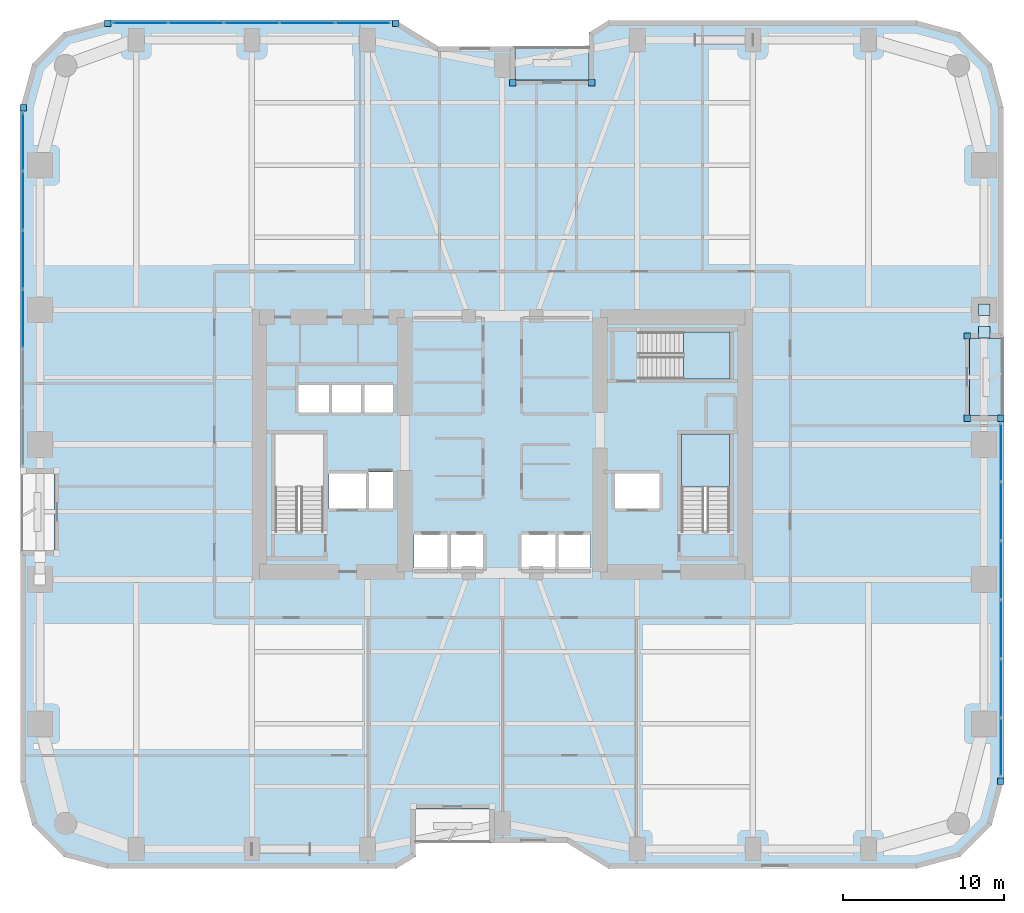
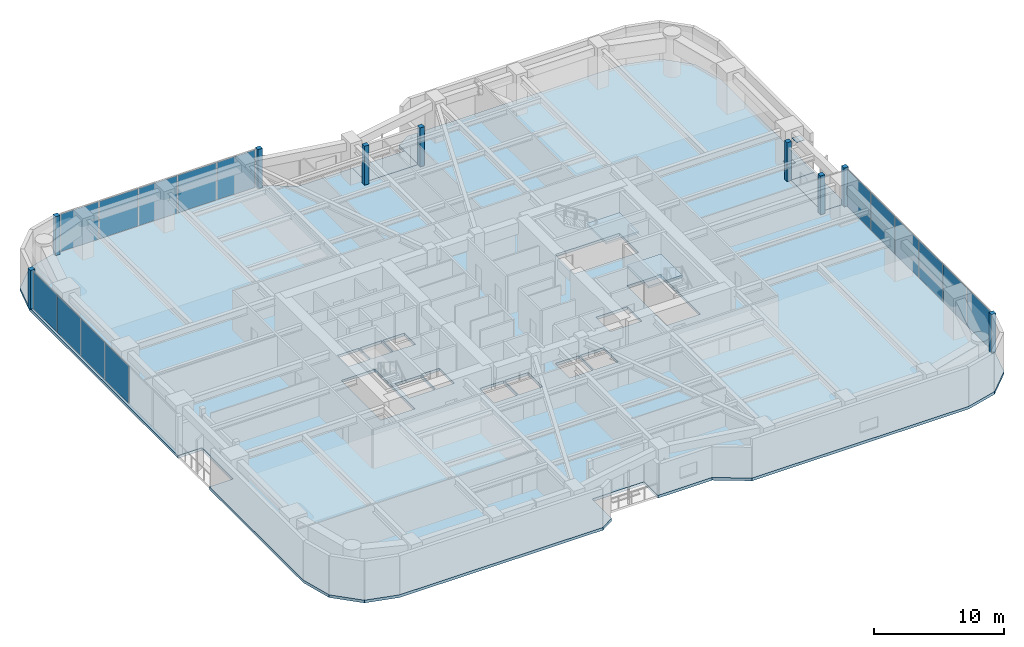
# One storey, part 20 of 28: 26 plates, 5 slabs, 5 elements without a shape of their own.
"""IFC4 building model written with IfcOpenShell, lengths in metres."""

from ifc_helpers import new_model, si_unit, direction, frame, origin, origin_2d, place, context, subcontext, project, spatial, polyline, rectangle, outline, extrude, material, layer, layer_set, type_object, element, aggregate, save


model = new_model("IFC4")

# Units and contexts
model_context = context("Model", 3, precision=1e-05, world=origin(), true_north=direction((0.0, 1.0)))
body_context = subcontext(model_context, "Body", "Model", "MODEL_VIEW")
ifc_project = project(units=[si_unit("LENGTHUNIT", "METRE"), si_unit("AREAUNIT", "SQUARE_METRE"), si_unit("VOLUMEUNIT", "CUBIC_METRE"), si_unit("PLANEANGLEUNIT", "RADIAN"), si_unit("MASSUNIT", "GRAM", prefix="KILO")], contexts=[model_context])

# Site, building, storey
site_placement = place(None, origin())
site = spatial("IfcSite", under=ifc_project, at=site_placement, CompositionType="ELEMENT")
building_placement = place(site_placement, origin())
building = spatial("IfcBuilding", under=site, at=building_placement, Name="Kiyonajd Concourse Tower", CompositionType="ELEMENT")
storey_placement = place(building_placement, frame((0.0, 0.0, 37.199951171875)))
storey = spatial("IfcBuildingStorey", under=building, at=storey_placement, Name="L10", CompositionType="ELEMENT", Elevation=37.199951171875)

# Plates
ifc_material_1 = material(Name="Steel ASTM A572 Grade 50", Category="steel")
ifc_layer_1 = layer(ifc_material_1, 0.028076171875)
ifc_layer_set_1 = layer_set([ifc_layer_1], Name="Steel ASTM A572 Grade 50")
plate_type_1 = type_object("IfcPlateType", Name="PL-CAP-450", PredefinedType="USERDEFINED", material=ifc_layer_set_1)
for number, where, z_axis, x_axis, name in (
    (1, (78.0, 44.40478515625, 0.27587890625), (0.0, 0.0, 1.0), (1.0, 0.0, 0.0), "L10 Hollow Brace End Cap Plate PBE"),
    (2, (78.0, 42.995361328125, 3.2861328125), (0.0, 0.0, 1.0), (1.0, 0.0, 0.0), "L10 Hollow Brace Top Cap Plate PBE"),
):
    element("IfcPlate", number, at=place(storey_placement, frame(where, z_axis=z_axis, x_axis=x_axis)), inside=storey, type_object=plate_type_1, Name=name, ObjectType="CAP PLATE", PredefinedType="USERDEFINED", context=body_context, shape_type="SweptSolid", body=[
        extrude(rectangle(XDim=0.7099609375, YDim=0.7099609375, at=origin_2d()), origin(), (0.0, 0.0, 1.0), 0.028076171875),
    ])

# Curtain wall, plates
ifc_material_2 = material(Name="Thermally Broken Anodised Aluminium", Category="aluminium")
ifc_layer_2 = layer(ifc_material_2, 0.179931640625)
ifc_layer_set_2 = layer_set([ifc_layer_2], Name="Thermally Broken Anodised Aluminium")
curtain_wall_type = type_object("IfcCurtainWallType", Name="CW-SYS-02", PredefinedType="NOTDEFINED", material=ifc_layer_set_2)
curtain_wall_1_placement = place(storey_placement, origin())
curtain_wall_1 = element("IfcCurtainWall", 3, at=curtain_wall_1_placement, inside=storey, type_object=curtain_wall_type, Name="L10 Unitised Curtain Wall CW2", PredefinedType="NOTDEFINED")
ifc_material_3 = material(Name="Double Low-E Insulated Glass", Category="glass")
ifc_layer_3 = layer(ifc_material_3, 0.028076171875)
ifc_layer_set_3 = layer_set([ifc_layer_3], Name="Double Low-E Insulated Glass")
plate_type_2 = type_object("IfcPlateType", Name="PL-CW-VIS28", PredefinedType="CURTAIN_PANEL", material=ifc_layer_set_3)
plate_1_placement = place(storey_placement, frame((18.159912109375, 43.832763671875, 0.06494140625), z_axis=(0.0, 0.0, 1.0), x_axis=(0.0, 1.0, 0.0)))
plate_1 = element("IfcPlate", 4, at=plate_1_placement, type_object=plate_type_2, Name="CW2 panel 3.1", PredefinedType="CURTAIN_PANEL", context=body_context, shape_type="SweptSolid", body=[
    extrude(rectangle(XDim=3.608154296875, YDim=0.028076171875, at=origin_2d()), origin(), (0.0, 0.0, 1.0), 3.510009765625),
])
plate_2_placement = place(storey_placement, frame((18.159912109375, 47.506103515625, 0.06494140625), z_axis=(0.0, 0.0, 1.0), x_axis=(0.0, 1.0, 0.0)))
plate_2 = element("IfcPlate", 5, at=plate_2_placement, type_object=plate_type_2, Name="CW2 panel 4.1", PredefinedType="CURTAIN_PANEL", context=body_context, shape_type="SweptSolid", body=[
    extrude(rectangle(XDim=3.608154296875, YDim=0.028076171875, at=origin_2d()), origin(), (0.0, 0.0, 1.0), 3.510009765625),
])
plate_3_placement = place(storey_placement, frame((18.159912109375, 51.17919921875, 0.06494140625), z_axis=(0.0, 0.0, 1.0), x_axis=(0.0, 1.0, 0.0)))
plate_3 = element("IfcPlate", 6, at=plate_3_placement, type_object=plate_type_2, Name="CW2 panel 5.1", PredefinedType="CURTAIN_PANEL", context=body_context, shape_type="SweptSolid", body=[
    extrude(rectangle(XDim=3.608154296875, YDim=0.028076171875, at=origin_2d()), origin(), (0.0, 0.0, 1.0), 3.510009765625),
])
plate_4_placement = place(storey_placement, frame((18.159912109375, 54.836181640625, 0.06494140625), z_axis=(0.0, 0.0, 1.0), x_axis=(0.0, 1.0, 0.0)))
plate_4 = element("IfcPlate", 7, at=plate_4_placement, type_object=plate_type_2, Name="CW2 panel 6.1", PredefinedType="CURTAIN_PANEL", context=body_context, shape_type="SweptSolid", body=[
    extrude(rectangle(XDim=3.57568359375, YDim=0.028076171875, at=origin_2d()), origin(), (0.0, 0.0, 1.0), 3.510009765625),
])
aggregate(curtain_wall_1, [plate_1, plate_2, plate_3, plate_4])

curtain_wall_2_placement = place(storey_placement, origin())
curtain_wall_2 = element("IfcCurtainWall", 8, at=curtain_wall_2_placement, inside=storey, type_object=curtain_wall_type, Name="L10 Unitised Curtain Wall CW2", PredefinedType="NOTDEFINED")
plate_5_placement = place(storey_placement, frame((25.462646484375, 62.239990234375, 0.06494140625), z_axis=(0.0, 0.0, 1.0), x_axis=(1.0, 0.0, 0.0)))
plate_5 = element("IfcPlate", 9, at=plate_5_placement, type_object=plate_type_2, Name="CW2 panel 1.1", PredefinedType="CURTAIN_PANEL", context=body_context, shape_type="SweptSolid", body=[
    extrude(rectangle(XDim=3.373291015625, YDim=0.028076171875, at=origin_2d()), origin(), (0.0, 0.0, 1.0), 3.510009765625),
])
plate_6_placement = place(storey_placement, frame((28.917236328125, 62.239990234375, 0.06494140625), z_axis=(0.0, 0.0, 1.0), x_axis=(1.0, 0.0, 0.0)))
plate_6 = element("IfcPlate", 10, at=plate_6_placement, type_object=plate_type_2, Name="CW2 panel 2.1", PredefinedType="CURTAIN_PANEL", context=body_context, shape_type="SweptSolid", body=[
    extrude(rectangle(XDim=3.40576171875, YDim=0.028076171875, at=origin_2d()), origin(), (0.0, 0.0, 1.0), 3.510009765625),
])
plate_7_placement = place(storey_placement, frame((32.387939453125, 62.239990234375, 0.06494140625), z_axis=(0.0, 0.0, 1.0), x_axis=(1.0, 0.0, 0.0)))
plate_7 = element("IfcPlate", 11, at=plate_7_placement, type_object=plate_type_2, Name="CW2 panel 3.1", PredefinedType="CURTAIN_PANEL", context=body_context, shape_type="SweptSolid", body=[
    extrude(rectangle(XDim=3.40576171875, YDim=0.028076171875, at=origin_2d()), origin(), (0.0, 0.0, 1.0), 3.510009765625),
])
plate_8_placement = place(storey_placement, frame((35.858642578125, 62.239990234375, 0.06494140625), z_axis=(0.0, 0.0, 1.0), x_axis=(1.0, 0.0, 0.0)))
plate_8 = element("IfcPlate", 12, at=plate_8_placement, type_object=plate_type_2, Name="CW2 panel 4.1", PredefinedType="CURTAIN_PANEL", context=body_context, shape_type="SweptSolid", body=[
    extrude(rectangle(XDim=3.40576171875, YDim=0.028076171875, at=origin_2d()), origin(), (0.0, 0.0, 1.0), 3.510009765625),
])
plate_9_placement = place(storey_placement, frame((39.31298828125, 62.239990234375, 0.06494140625), z_axis=(0.0, 0.0, 1.0), x_axis=(1.0, 0.0, 0.0)))
plate_9 = element("IfcPlate", 13, at=plate_9_placement, type_object=plate_type_2, Name="CW2 panel 5.1", PredefinedType="CURTAIN_PANEL", context=body_context, shape_type="SweptSolid", body=[
    extrude(rectangle(XDim=3.373291015625, YDim=0.028076171875, at=origin_2d()), origin(), (0.0, 0.0, 1.0), 3.510009765625),
])
aggregate(curtain_wall_2, [plate_5, plate_6, plate_7, plate_8, plate_9])

curtain_wall_3_placement = place(storey_placement, origin())
curtain_wall_3 = element("IfcCurtainWall", 14, at=curtain_wall_3_placement, inside=storey, type_object=curtain_wall_type, Name="L10 Unitised Curtain Wall CW2", PredefinedType="NOTDEFINED")
plate_10_placement = place(storey_placement, frame((79.0400390625, 35.4970703125, 0.06494140625), z_axis=(0.0, 0.0, 1.0), x_axis=(0.0, -1.0, 0.0)))
plate_10 = element("IfcPlate", 15, at=plate_10_placement, type_object=plate_type_2, Name="CW2 panel 1.1", PredefinedType="CURTAIN_PANEL", context=body_context, shape_type="SweptSolid", body=[
    extrude(rectangle(XDim=3.57568359375, YDim=0.028076171875, at=origin_2d()), origin(), (0.0, 0.0, 1.0), 3.510009765625),
])
plate_11_placement = place(storey_placement, frame((79.0400390625, 31.84033203125, 0.06494140625), z_axis=(0.0, 0.0, 1.0), x_axis=(0.0, -1.0, 0.0)))
plate_11 = element("IfcPlate", 16, at=plate_11_placement, type_object=plate_type_2, Name="CW2 panel 2.1", PredefinedType="CURTAIN_PANEL", context=body_context, shape_type="SweptSolid", body=[
    extrude(rectangle(XDim=3.608154296875, YDim=0.028076171875, at=origin_2d()), origin(), (0.0, 0.0, 1.0), 3.510009765625),
])
plate_12_placement = place(storey_placement, frame((79.0400390625, 28.167236328125, 0.06494140625), z_axis=(0.0, 0.0, 1.0), x_axis=(0.0, -1.0, 0.0)))
plate_12 = element("IfcPlate", 17, at=plate_12_placement, type_object=plate_type_2, Name="CW2 panel 3.1", PredefinedType="CURTAIN_PANEL", context=body_context, shape_type="SweptSolid", body=[
    extrude(rectangle(XDim=3.608154296875, YDim=0.028076171875, at=origin_2d()), origin(), (0.0, 0.0, 1.0), 3.510009765625),
])
plate_13_placement = place(storey_placement, frame((79.0400390625, 24.493896484375, 0.06494140625), z_axis=(0.0, 0.0, 1.0), x_axis=(0.0, -1.0, 0.0)))
plate_13 = element("IfcPlate", 18, at=plate_13_placement, type_object=plate_type_2, Name="CW2 panel 4.1", PredefinedType="CURTAIN_PANEL", context=body_context, shape_type="SweptSolid", body=[
    extrude(rectangle(XDim=3.608154296875, YDim=0.028076171875, at=origin_2d()), origin(), (0.0, 0.0, 1.0), 3.510009765625),
])
plate_14_placement = place(storey_placement, frame((79.0400390625, 20.82080078125, 0.06494140625), z_axis=(0.0, 0.0, 1.0), x_axis=(0.0, -1.0, 0.0)))
plate_14 = element("IfcPlate", 19, at=plate_14_placement, type_object=plate_type_2, Name="CW2 panel 5.1", PredefinedType="CURTAIN_PANEL", context=body_context, shape_type="SweptSolid", body=[
    extrude(rectangle(XDim=3.608154296875, YDim=0.028076171875, at=origin_2d()), origin(), (0.0, 0.0, 1.0), 3.510009765625),
])
plate_15_placement = place(storey_placement, frame((79.0400390625, 17.163818359375, 0.06494140625), z_axis=(0.0, 0.0, 1.0), x_axis=(0.0, -1.0, 0.0)))
plate_15 = element("IfcPlate", 20, at=plate_15_placement, type_object=plate_type_2, Name="CW2 panel 6.1", PredefinedType="CURTAIN_PANEL", context=body_context, shape_type="SweptSolid", body=[
    extrude(rectangle(XDim=3.57568359375, YDim=0.028076171875, at=origin_2d()), origin(), (0.0, 0.0, 1.0), 3.510009765625),
])
aggregate(curtain_wall_3, [plate_10, plate_11, plate_12, plate_13, plate_14, plate_15])

# Plates
ifc_layer_4 = layer(ifc_material_2, 0.39990234375)
ifc_layer_set_4 = layer_set([ifc_layer_4], Name="Thermally Broken Anodised Aluminium")
plate_type_3 = type_object("IfcPlateType", Name="PL-JMB-400", PredefinedType="USERDEFINED", material=ifc_layer_set_4)
for number, where, z_axis, x_axis, name in (
    (21, (18.159912109375, 56.97900390625, 0.0), (0.0, 0.0, 1.0), (1.0, 0.0, 0.0), "L10 Facade Jamb Closure Plate 04"),
    (22, (23.421142578125, 62.239990234375, 0.0), (0.0, 0.0, 1.0), (1.0, 0.0, 0.0), "L10 Facade Jamb Closure Plate 05"),
    (23, (41.354736328125, 62.239990234375, 0.0), (0.0, 0.0, 1.0), (1.0, 0.0, 0.0), "L10 Facade Jamb Closure Plate 06"),
    (24, (48.639892578125, 58.5400390625, 0.0), (0.0, 0.0, 1.0), (1.0, 0.0, 0.0), "L10 Facade Jamb Closure Plate 07"),
    (25, (53.56005859375, 58.5400390625, 0.0), (0.0, 0.0, 1.0), (1.0, 0.0, 0.0), "L10 Facade Jamb Closure Plate 08"),
    (26, (76.93994140625, 42.760009765625, 0.0), (0.0, 0.0, 1.0), (1.0, 0.0, 0.0), "L10 Facade Jamb Closure Plate 09"),
    (27, (76.93994140625, 37.639892578125, 0.0), (0.0, 0.0, 1.0), (1.0, 0.0, 0.0), "L10 Facade Jamb Closure Plate 10"),
    (28, (79.0400390625, 37.639892578125, 0.0), (0.0, 0.0, 1.0), (1.0, 0.0, 0.0), "L10 Facade Jamb Closure Plate 11"),
    (29, (79.0400390625, 15.02099609375, 0.0), (0.0, 0.0, 1.0), (1.0, 0.0, 0.0), "L10 Facade Jamb Closure Plate 12"),
):
    element("IfcPlate", number, at=place(storey_placement, frame(where, z_axis=z_axis, x_axis=x_axis)), inside=storey, type_object=plate_type_3, Name=name, ObjectType="JAMB PLATE", PredefinedType="USERDEFINED", context=body_context, shape_type="SweptSolid", body=[
        extrude(rectangle(XDim=0.39990234375, YDim=0.39990234375, at=origin_2d()), origin(), (0.0, 0.0, 1.0), 3.639892578125),
    ])

# Stair, slab
ifc_material_4 = material(Name="Concrete C40/50", Category="concrete")
stair_type = type_object("IfcStairType", Name="ST-DLG-22R", PredefinedType="HALF_TURN_STAIR", material=ifc_material_4)
stair_1_placement = place(storey_placement, origin())
stair_1 = element("IfcStair", 30, at=stair_1_placement, inside=storey, type_object=stair_type, Name="L10 Protected Exit Stair ST2", PredefinedType="HALF_TURN_STAIR")
ifc_layer_5 = layer(ifc_material_4, 0.199951171875)
ifc_layer_set_5 = layer_set([ifc_layer_5], Name="Concrete C40/50")
slab_type_1 = type_object("IfcSlabType", Name="SL-LND-200", PredefinedType="LANDING", material=ifc_layer_set_5)
slab_1_placement = place(storey_placement, frame((0.0, 0.0, 1.75)))
slab_1 = element("IfcSlab", 31, at=slab_1_placement, type_object=slab_type_1, Name="ST2 landing 1", PredefinedType="LANDING", context=body_context, shape_type="SweptSolid", body=[
    extrude(outline(polyline([(62.14990234375, 33.35009765625), (62.14990234375, 36.64990234375), (59.14990234375, 36.64990234375), (59.14990234375, 33.35009765625), (62.14990234375, 33.35009765625)])), origin(), (0.0, 0.0, 1.0), 0.199951171875),
])
aggregate(stair_1, [slab_1])

stair_2_placement = place(storey_placement, origin())
stair_2 = element("IfcStair", 32, at=stair_2_placement, inside=storey, type_object=stair_type, Name="L10 Protected Exit Stair ST3", PredefinedType="HALF_TURN_STAIR")
slab_2_placement = place(storey_placement, frame((0.0, 0.0, 1.75)))
slab_2 = element("IfcSlab", 33, at=slab_2_placement, type_object=slab_type_1, Name="ST3 landing 1", PredefinedType="LANDING", context=body_context, shape_type="SweptSolid", body=[
    extrude(outline(polyline([(59.280029296875, 40.080078125), (62.179931640625, 40.080078125), (62.179931640625, 43.02001953125), (59.280029296875, 43.02001953125), (59.280029296875, 40.080078125)])), origin(), (0.0, 0.0, 1.0), 0.199951171875),
])
aggregate(stair_2, [slab_2])

# Slabs
ifc_material_5 = material(Name="Precast concrete C50/60", Category="concrete")
ifc_layer_6 = layer(ifc_material_5, 0.199951171875)
ifc_layer_set_6 = layer_set([ifc_layer_6], Name="Precast concrete C50/60")
slab_type_2 = type_object("IfcSlabType", Name="SL-LOG-200", PredefinedType="FLOOR", material=ifc_layer_set_6)
slab_3_placement = place(storey_placement, frame((0.0, 0.0, -0.199951171875)))
element("IfcSlab", 34, at=slab_3_placement, inside=storey, type_object=slab_type_2, Name="L10 Recessed Engawa Loggia Terrace Slab LOG-N", PredefinedType="FLOOR", context=body_context, shape_type="SweptSolid", body=[
    extrude(outline(polyline([(48.800048828125, 58.699951171875), (53.39990234375, 58.699951171875), (53.39990234375, 60.800048828125), (48.800048828125, 60.800048828125), (48.800048828125, 58.699951171875)])), origin(), (0.0, 0.0, 1.0), 0.199951171875),
])
slab_4_placement = place(storey_placement, frame((0.0, 0.0, -0.199951171875)))
element("IfcSlab", 35, at=slab_4_placement, inside=storey, type_object=slab_type_2, Name="L10 Recessed Engawa Loggia Terrace Slab LOG-E", PredefinedType="FLOOR", context=body_context, shape_type="SweptSolid", body=[
    extrude(outline(polyline([(77.10009765625, 37.800048828125), (79.199951171875, 37.800048828125), (79.199951171875, 42.60009765625), (77.10009765625, 42.60009765625), (77.10009765625, 37.800048828125)])), origin(), (0.0, 0.0, 1.0), 0.199951171875),
])
ifc_layer_7 = layer(ifc_material_4, 0.260009765625)
ifc_layer_set_7 = layer_set([ifc_layer_7], Name="Concrete C40/50")
slab_type_3 = type_object("IfcSlabType", Name="SL-TWR-260", PredefinedType="FLOOR", material=ifc_layer_set_7)
slab_5_placement = place(storey_placement, frame((0.0, 0.0, -0.260009765625)))
element("IfcSlab", 36, at=slab_5_placement, inside=storey, type_object=slab_type_3, Name="L10 Tower Conditioned Floor Slab", PredefinedType="FLOOR", context=body_context, shape_type="SweptSolid", body=[
    extrude(outline(polyline([(18.722900390625, 12.300048828125), (18.0, 15.0), (18.0, 29.39990234375), (20.10009765625, 29.39990234375), (20.10009765625, 34.199951171875), (18.0, 34.199951171875), (18.0, 57.0), (18.722900390625, 59.699951171875), (20.699951171875, 61.677001953125), (23.39990234375, 62.39990234375), (41.39990234375, 62.39990234375), (44.0, 60.800048828125), (48.800048828125, 60.800048828125), (48.800048828125, 58.699951171875), (53.39990234375, 58.699951171875), (53.39990234375, 61.662109375), (54.60009765625, 62.39990234375), (73.800048828125, 62.39990234375), (76.5, 61.677001953125), (78.47705078125, 59.699951171875), (79.199951171875, 57.0), (79.199951171875, 42.60009765625), (77.10009765625, 42.60009765625), (77.10009765625, 37.800048828125), (79.199951171875, 37.800048828125), (79.199951171875, 15.0), (78.47705078125, 12.300048828125), (76.5, 10.322998046875), (73.800048828125, 9.60009765625), (54.60009765625, 9.60009765625), (52.0, 11.199951171875), (47.199951171875, 11.199951171875), (47.199951171875, 13.300048828125), (42.60009765625, 13.300048828125), (42.60009765625, 10.337890625), (41.39990234375, 9.60009765625), (23.39990234375, 9.60009765625), (20.699951171875, 10.322998046875), (18.722900390625, 12.300048828125)]), holes=[polyline([(44.60009765625, 28.199951171875), (42.5, 28.199951171875), (42.5, 30.39990234375), (44.60009765625, 30.39990234375), (44.60009765625, 28.199951171875)]), polyline([(37.199951171875, 32.0), (37.199951171875, 34.199951171875), (39.5, 34.199951171875), (39.5, 32.0), (37.199951171875, 32.0)]), polyline([(39.60009765625, 32.0), (39.60009765625, 34.300048828125), (41.199951171875, 34.300048828125), (41.199951171875, 32.0), (39.60009765625, 32.0)]), polyline([(36.85009765625, 30.550048828125), (33.85009765625, 30.550048828125), (33.85009765625, 36.64990234375), (36.85009765625, 36.64990234375), (36.85009765625, 30.550048828125)]), polyline([(35.300048828125, 38.0), (35.300048828125, 39.699951171875), (37.199951171875, 39.699951171875), (37.199951171875, 38.0), (35.300048828125, 38.0)]), polyline([(37.300048828125, 38.0), (37.300048828125, 39.699951171875), (39.199951171875, 39.699951171875), (39.199951171875, 38.0), (37.300048828125, 38.0)]), polyline([(41.199951171875, 38.0), (39.300048828125, 38.0), (39.300048828125, 39.699951171875), (41.199951171875, 39.699951171875), (41.199951171875, 38.0)]), polyline([(44.699951171875, 28.199951171875), (44.699951171875, 30.39990234375), (46.800048828125, 30.39990234375), (46.800048828125, 28.199951171875), (44.699951171875, 28.199951171875)]), polyline([(49.199951171875, 28.199951171875), (49.199951171875, 30.39990234375), (51.300048828125, 30.39990234375), (51.300048828125, 28.199951171875), (49.199951171875, 28.199951171875)]), polyline([(51.39990234375, 28.199951171875), (51.39990234375, 30.39990234375), (53.5, 30.39990234375), (53.5, 28.199951171875), (51.39990234375, 28.199951171875)]), polyline([(55.0, 32.0), (55.0, 34.199951171875), (57.800048828125, 34.199951171875), (57.800048828125, 32.0), (55.0, 32.0)]), polyline([(59.14990234375, 30.550048828125), (59.14990234375, 36.64990234375), (62.14990234375, 36.64990234375), (62.14990234375, 30.550048828125), (59.14990234375, 30.550048828125)]), polyline([(56.47998046875, 43.02001953125), (62.179931640625, 43.02001953125), (62.179931640625, 40.080078125), (56.47998046875, 40.080078125), (56.47998046875, 43.02001953125)])]), origin(), (0.0, 0.0, 1.0), 0.260009765625),
])

save(model, "model.ifc")
